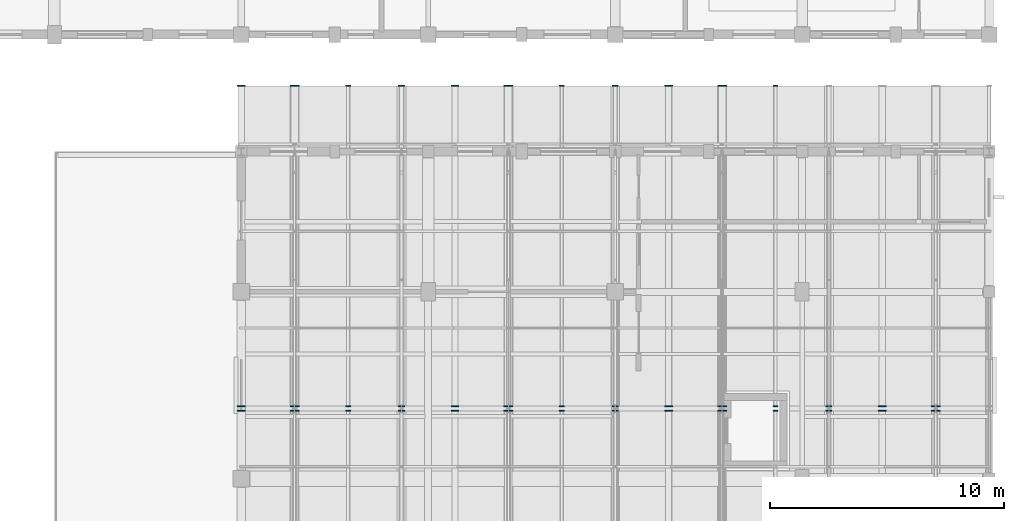
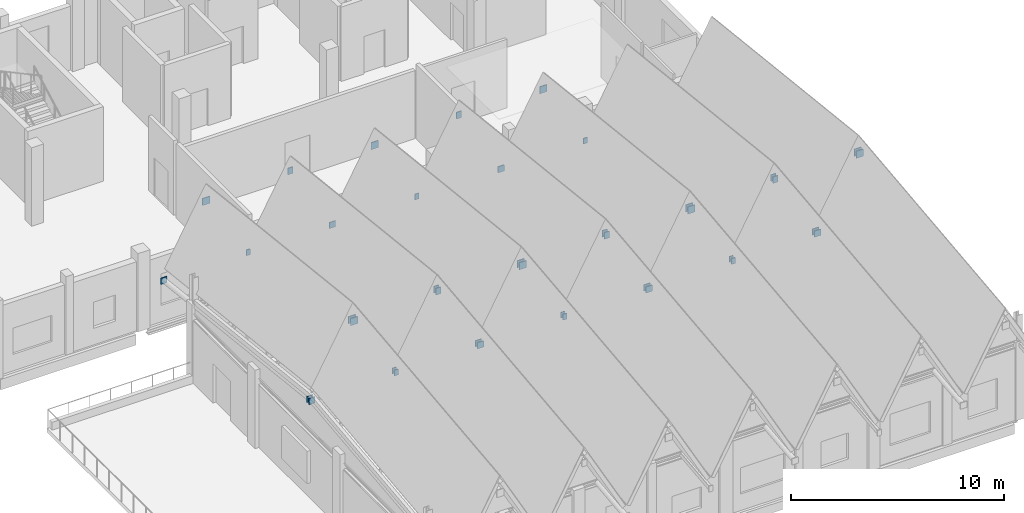
# One storey, part 42 of 48: 39 discrete accessories.
"""IFC4 building model written with IfcOpenShell, lengths in metres."""

from ifc_helpers import new_model, si_unit, direction, frame, origin, origin_2d, place, context, subcontext, project, spatial, rectangle, extrude, material, type_object, element, save


model = new_model("IFC4")

# Units and contexts
model_context = context("Model", 3, precision=1e-05, world=origin(), true_north=direction((0.0, 1.0)))
body_context = subcontext(model_context, "Body", "Model", "MODEL_VIEW")
ifc_project = project(units=[si_unit("LENGTHUNIT", "METRE"), si_unit("AREAUNIT", "SQUARE_METRE"), si_unit("VOLUMEUNIT", "CUBIC_METRE"), si_unit("PLANEANGLEUNIT", "RADIAN"), si_unit("MASSUNIT", "GRAM", prefix="KILO")], contexts=[model_context])

# Site, building, storey
site_placement = place(None, origin())
site = spatial("IfcSite", under=ifc_project, at=site_placement, CompositionType="ELEMENT")
building_placement = place(site_placement, origin())
building = spatial("IfcBuilding", under=site, at=building_placement, Name="Luwemba Playhouse", CompositionType="ELEMENT")
storey_placement = place(building_placement, frame((0.0, 0.0, 13.800048828125)))
storey = spatial("IfcBuildingStorey", under=building, at=storey_placement, Name="L03", CompositionType="ELEMENT", Elevation=13.800048828125)

# Discrete accessories
ifc_material = material(Name="Steel S355", Category="steel")
discrete_accessory_type = type_object("IfcDiscreteAccessoryType", Name="ACC-ENDCAP-S355", PredefinedType="BRACKET", material=ifc_material)
for number, where, z_axis, x_axis, name in (
    (1, (140.0, 78.90478515625, 5.35009765625), (0.0, 0.0, 1.0), (1.0, 0.0, 0.0), "Welded RHS end cap plate 0258"),
    (2, (140.0, 79.09521484375, 5.35009765625), (0.0, 0.0, 1.0), (1.0, 0.0, 0.0), "Welded RHS end cap plate 0259"),
    (3, (140.0, 92.81494140625, 3.81103515625), (0.0, 0.0, 1.0), (1.0, 0.0, 0.0), "Welded RHS end cap plate 0260"),
):
    element("IfcDiscreteAccessory", number, at=place(storey_placement, frame(where, z_axis=z_axis, x_axis=x_axis)), inside=storey, type_object=discrete_accessory_type, Name=name, PredefinedType="BRACKET", context=body_context, shape_type="SweptSolid", body=[
        extrude(rectangle(XDim=0.3330078125, YDim=0.044921875, at=origin_2d()), origin(), (0.0, 0.0, 1.0), 0.35302734375),
    ])
for number, where, z_axis, x_axis, name in (
    (4, (142.28564453125, 78.90478515625, 9.08740234375), (0.0, 0.0, 1.0), (1.0, 0.0, 0.0), "Welded RHS end cap plate 0262"),
    (5, (142.28564453125, 79.09521484375, 9.08740234375), (0.0, 0.0, 1.0), (1.0, 0.0, 0.0), "Welded RHS end cap plate 0263"),
    (6, (142.28564453125, 92.81494140625, 7.54833984375), (0.0, 0.0, 1.0), (1.0, 0.0, 0.0), "Welded RHS end cap plate 0264"),
):
    element("IfcDiscreteAccessory", number, at=place(storey_placement, frame(where, z_axis=z_axis, x_axis=x_axis)), inside=storey, type_object=discrete_accessory_type, Name=name, PredefinedType="BRACKET", context=body_context, shape_type="SweptSolid", body=[
        extrude(rectangle(XDim=0.384033203125, YDim=0.044921875, at=origin_2d()), origin(), (0.0, 0.0, 1.0), 0.404052734375),
    ])
for number, where, z_axis, x_axis, name in (
    (7, (144.5712890625, 78.90478515625, 5.373046875), (0.0, 0.0, 1.0), (1.0, 0.0, 0.0), "Welded RHS end cap plate 0266"),
    (8, (144.5712890625, 79.09521484375, 5.373046875), (0.0, 0.0, 1.0), (1.0, 0.0, 0.0), "Welded RHS end cap plate 0267"),
    (9, (144.5712890625, 92.81494140625, 3.834228515625), (0.0, 0.0, 1.0), (1.0, 0.0, 0.0), "Welded RHS end cap plate 0268"),
):
    element("IfcDiscreteAccessory", number, at=place(storey_placement, frame(where, z_axis=z_axis, x_axis=x_axis)), inside=storey, type_object=discrete_accessory_type, Name=name, PredefinedType="BRACKET", context=body_context, shape_type="SweptSolid", body=[
        extrude(rectangle(XDim=0.2099609375, YDim=0.044921875, at=origin_2d()), origin(), (0.0, 0.0, 1.0), 0.330078125),
    ])
for number, where, z_axis, x_axis, name in (
    (10, (146.857177734375, 78.90478515625, 9.22412109375), (0.0, 0.0, 1.0), (1.0, 0.0, 0.0), "Welded RHS end cap plate 0270"),
    (11, (146.857177734375, 79.09521484375, 9.22412109375), (0.0, 0.0, 1.0), (1.0, 0.0, 0.0), "Welded RHS end cap plate 0271"),
    (12, (146.857177734375, 92.81494140625, 7.685302734375), (0.0, 0.0, 1.0), (1.0, 0.0, 0.0), "Welded RHS end cap plate 0272"),
):
    element("IfcDiscreteAccessory", number, at=place(storey_placement, frame(where, z_axis=z_axis, x_axis=x_axis)), inside=storey, type_object=discrete_accessory_type, Name=name, PredefinedType="BRACKET", context=body_context, shape_type="SweptSolid", body=[
        extrude(rectangle(XDim=0.260009765625, YDim=0.044921875, at=origin_2d()), origin(), (0.0, 0.0, 1.0), 0.3798828125),
    ])
for number, where, z_axis, x_axis, name in (
    (13, (149.142822265625, 78.90478515625, 5.35009765625), (0.0, 0.0, 1.0), (1.0, 0.0, 0.0), "Welded RHS end cap plate 0274"),
    (14, (149.142822265625, 79.09521484375, 5.35009765625), (0.0, 0.0, 1.0), (1.0, 0.0, 0.0), "Welded RHS end cap plate 0275"),
    (15, (149.142822265625, 92.81494140625, 3.811279296875), (0.0, 0.0, 1.0), (1.0, 0.0, 0.0), "Welded RHS end cap plate 0276"),
):
    element("IfcDiscreteAccessory", number, at=place(storey_placement, frame(where, z_axis=z_axis, x_axis=x_axis)), inside=storey, type_object=discrete_accessory_type, Name=name, PredefinedType="BRACKET", context=body_context, shape_type="SweptSolid", body=[
        extrude(rectangle(XDim=0.3330078125, YDim=0.044921875, at=origin_2d()), origin(), (0.0, 0.0, 1.0), 0.35302734375),
    ])
for number, where, z_axis, x_axis, name in (
    (16, (151.4287109375, 78.90478515625, 9.08740234375), (0.0, 0.0, 1.0), (1.0, 0.0, 0.0), "Welded RHS end cap plate 0278"),
    (17, (151.4287109375, 79.09521484375, 9.08740234375), (0.0, 0.0, 1.0), (1.0, 0.0, 0.0), "Welded RHS end cap plate 0279"),
    (18, (151.4287109375, 92.81494140625, 7.54833984375), (0.0, 0.0, 1.0), (1.0, 0.0, 0.0), "Welded RHS end cap plate 0280"),
):
    element("IfcDiscreteAccessory", number, at=place(storey_placement, frame(where, z_axis=z_axis, x_axis=x_axis)), inside=storey, type_object=discrete_accessory_type, Name=name, PredefinedType="BRACKET", context=body_context, shape_type="SweptSolid", body=[
        extrude(rectangle(XDim=0.384033203125, YDim=0.044921875, at=origin_2d()), origin(), (0.0, 0.0, 1.0), 0.404052734375),
    ])
for number, where, z_axis, x_axis, name in (
    (19, (153.71435546875, 78.90478515625, 5.373046875), (0.0, 0.0, 1.0), (1.0, 0.0, 0.0), "Welded RHS end cap plate 0282"),
    (20, (153.71435546875, 79.09521484375, 5.373046875), (0.0, 0.0, 1.0), (1.0, 0.0, 0.0), "Welded RHS end cap plate 0283"),
    (21, (153.71435546875, 92.81494140625, 3.834228515625), (0.0, 0.0, 1.0), (1.0, 0.0, 0.0), "Welded RHS end cap plate 0284"),
):
    element("IfcDiscreteAccessory", number, at=place(storey_placement, frame(where, z_axis=z_axis, x_axis=x_axis)), inside=storey, type_object=discrete_accessory_type, Name=name, PredefinedType="BRACKET", context=body_context, shape_type="SweptSolid", body=[
        extrude(rectangle(XDim=0.2099609375, YDim=0.044921875, at=origin_2d()), origin(), (0.0, 0.0, 1.0), 0.330078125),
    ])
for number, where, z_axis, x_axis, name in (
    (22, (156.0, 78.90478515625, 9.22412109375), (0.0, 0.0, 1.0), (1.0, 0.0, 0.0), "Welded RHS end cap plate 0286"),
    (23, (156.0, 79.09521484375, 9.22412109375), (0.0, 0.0, 1.0), (1.0, 0.0, 0.0), "Welded RHS end cap plate 0287"),
    (24, (156.0, 92.81494140625, 7.685302734375), (0.0, 0.0, 1.0), (1.0, 0.0, 0.0), "Welded RHS end cap plate 0288"),
):
    element("IfcDiscreteAccessory", number, at=place(storey_placement, frame(where, z_axis=z_axis, x_axis=x_axis)), inside=storey, type_object=discrete_accessory_type, Name=name, PredefinedType="BRACKET", context=body_context, shape_type="SweptSolid", body=[
        extrude(rectangle(XDim=0.260009765625, YDim=0.044921875, at=origin_2d()), origin(), (0.0, 0.0, 1.0), 0.3798828125),
    ])
for number, where, z_axis, x_axis, name in (
    (25, (158.28564453125, 78.90478515625, 5.35009765625), (0.0, 0.0, 1.0), (1.0, 0.0, 0.0), "Welded RHS end cap plate 0290"),
    (26, (158.28564453125, 79.09521484375, 5.35009765625), (0.0, 0.0, 1.0), (1.0, 0.0, 0.0), "Welded RHS end cap plate 0291"),
    (27, (158.28564453125, 92.81494140625, 3.81103515625), (0.0, 0.0, 1.0), (1.0, 0.0, 0.0), "Welded RHS end cap plate 0292"),
):
    element("IfcDiscreteAccessory", number, at=place(storey_placement, frame(where, z_axis=z_axis, x_axis=x_axis)), inside=storey, type_object=discrete_accessory_type, Name=name, PredefinedType="BRACKET", context=body_context, shape_type="SweptSolid", body=[
        extrude(rectangle(XDim=0.3330078125, YDim=0.044921875, at=origin_2d()), origin(), (0.0, 0.0, 1.0), 0.35302734375),
    ])
for number, where, z_axis, x_axis, name in (
    (28, (160.5712890625, 78.90478515625, 9.08740234375), (0.0, 0.0, 1.0), (1.0, 0.0, 0.0), "Welded RHS end cap plate 0294"),
    (29, (160.5712890625, 79.09521484375, 9.08740234375), (0.0, 0.0, 1.0), (1.0, 0.0, 0.0), "Welded RHS end cap plate 0295"),
    (30, (160.5712890625, 92.81494140625, 7.54833984375), (0.0, 0.0, 1.0), (1.0, 0.0, 0.0), "Welded RHS end cap plate 0296"),
):
    element("IfcDiscreteAccessory", number, at=place(storey_placement, frame(where, z_axis=z_axis, x_axis=x_axis)), inside=storey, type_object=discrete_accessory_type, Name=name, PredefinedType="BRACKET", context=body_context, shape_type="SweptSolid", body=[
        extrude(rectangle(XDim=0.384033203125, YDim=0.044921875, at=origin_2d()), origin(), (0.0, 0.0, 1.0), 0.404052734375),
    ])
for number, where, z_axis, x_axis, name in (
    (31, (162.857177734375, 78.90478515625, 5.373046875), (0.0, 0.0, 1.0), (1.0, 0.0, 0.0), "Welded RHS end cap plate 0298"),
    (32, (162.857177734375, 79.09521484375, 5.373046875), (0.0, 0.0, 1.0), (1.0, 0.0, 0.0), "Welded RHS end cap plate 0299"),
    (33, (162.857177734375, 92.81494140625, 3.834228515625), (0.0, 0.0, 1.0), (1.0, 0.0, 0.0), "Welded RHS end cap plate 0300"),
):
    element("IfcDiscreteAccessory", number, at=place(storey_placement, frame(where, z_axis=z_axis, x_axis=x_axis)), inside=storey, type_object=discrete_accessory_type, Name=name, PredefinedType="BRACKET", context=body_context, shape_type="SweptSolid", body=[
        extrude(rectangle(XDim=0.2099609375, YDim=0.044921875, at=origin_2d()), origin(), (0.0, 0.0, 1.0), 0.330078125),
    ])
for number, where, z_axis, x_axis, name in (
    (34, (165.142822265625, 78.90478515625, 9.22412109375), (0.0, 0.0, 1.0), (1.0, 0.0, 0.0), "Welded RHS end cap plate 0302"),
    (35, (165.142822265625, 79.09521484375, 9.22412109375), (0.0, 0.0, 1.0), (1.0, 0.0, 0.0), "Welded RHS end cap plate 0303"),
):
    element("IfcDiscreteAccessory", number, at=place(storey_placement, frame(where, z_axis=z_axis, x_axis=x_axis)), inside=storey, type_object=discrete_accessory_type, Name=name, PredefinedType="BRACKET", context=body_context, shape_type="SweptSolid", body=[
        extrude(rectangle(XDim=0.260009765625, YDim=0.044921875, at=origin_2d()), origin(), (0.0, 0.0, 1.0), 0.3798828125),
    ])
for number, where, z_axis, x_axis, name in (
    (36, (167.4287109375, 78.90478515625, 5.35009765625), (0.0, 0.0, 1.0), (1.0, 0.0, 0.0), "Welded RHS end cap plate 0306"),
    (37, (167.4287109375, 79.09521484375, 5.35009765625), (0.0, 0.0, 1.0), (1.0, 0.0, 0.0), "Welded RHS end cap plate 0307"),
):
    element("IfcDiscreteAccessory", number, at=place(storey_placement, frame(where, z_axis=z_axis, x_axis=x_axis)), inside=storey, type_object=discrete_accessory_type, Name=name, PredefinedType="BRACKET", context=body_context, shape_type="SweptSolid", body=[
        extrude(rectangle(XDim=0.3330078125, YDim=0.044921875, at=origin_2d()), origin(), (0.0, 0.0, 1.0), 0.35302734375),
    ])
for number, where, z_axis, x_axis, name in (
    (38, (169.71435546875, 78.90478515625, 9.08740234375), (0.0, 0.0, 1.0), (1.0, 0.0, 0.0), "Welded RHS end cap plate 0310"),
    (39, (169.71435546875, 79.09521484375, 9.08740234375), (0.0, 0.0, 1.0), (1.0, 0.0, 0.0), "Welded RHS end cap plate 0311"),
):
    element("IfcDiscreteAccessory", number, at=place(storey_placement, frame(where, z_axis=z_axis, x_axis=x_axis)), inside=storey, type_object=discrete_accessory_type, Name=name, PredefinedType="BRACKET", context=body_context, shape_type="SweptSolid", body=[
        extrude(rectangle(XDim=0.384033203125, YDim=0.044921875, at=origin_2d()), origin(), (0.0, 0.0, 1.0), 0.404052734375),
    ])

save(model, "model.ifc")
